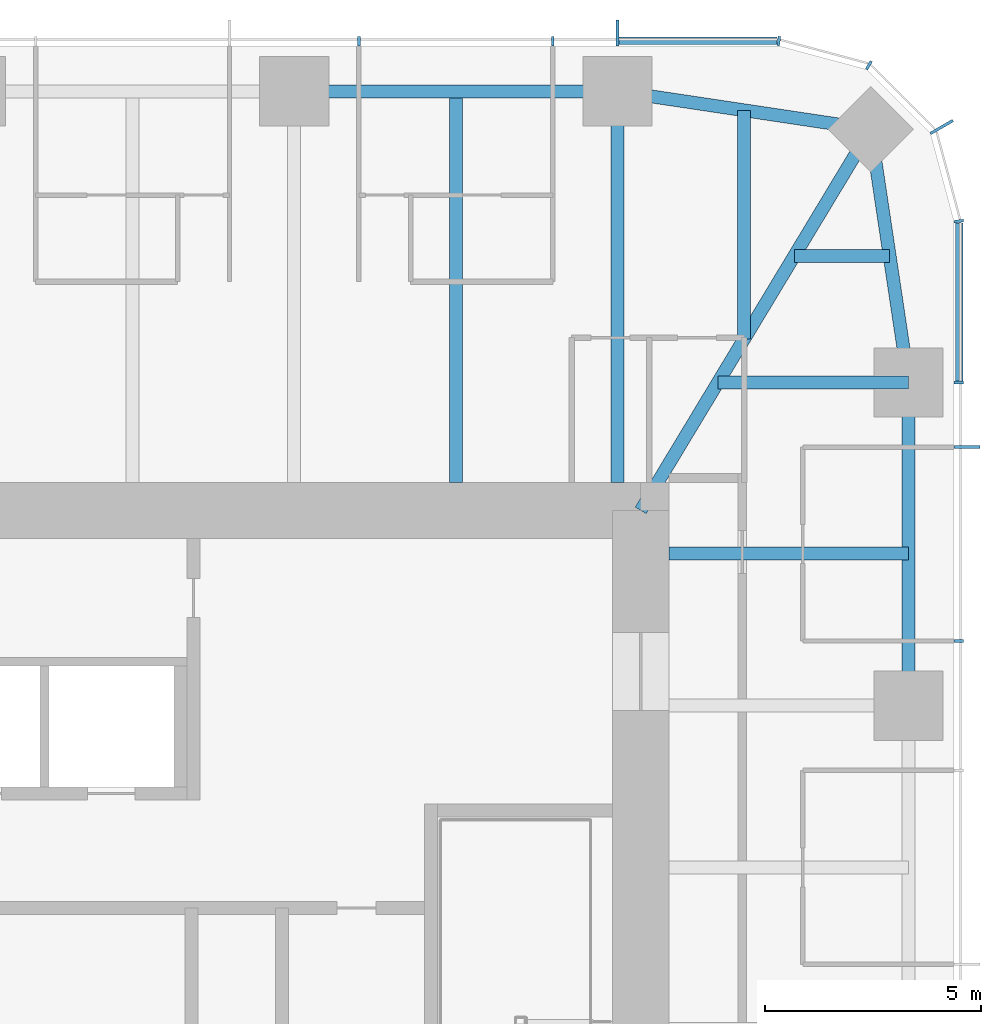
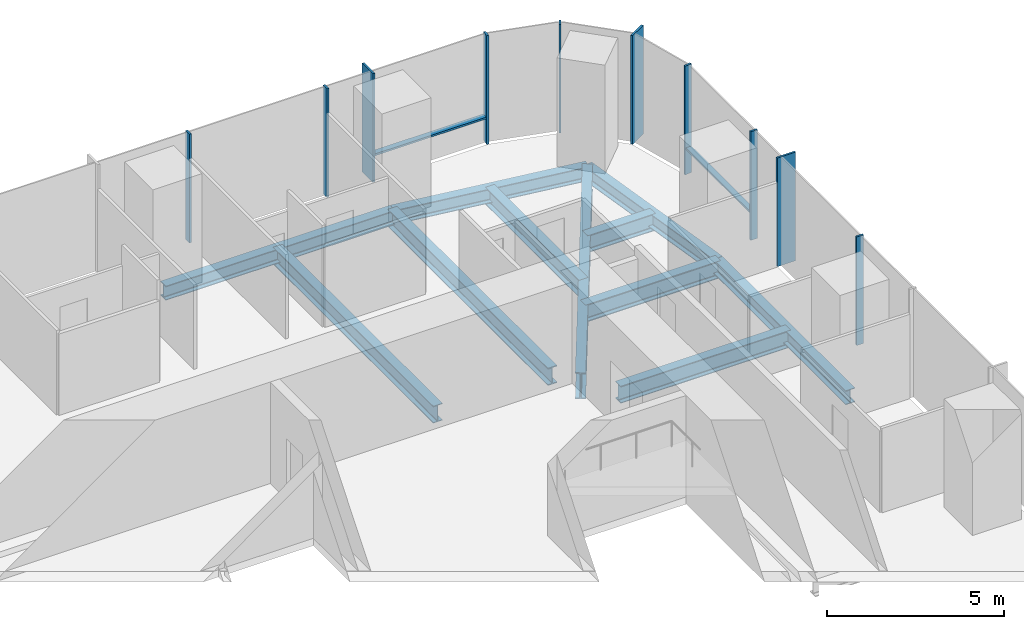
# One storey, part 6 of 12: 12 members, 11 beams, 3 elements without a shape of their own.
"""IFC4 building model written with IfcOpenShell, lengths in metres."""

from ifc_helpers import new_model, si_unit, direction, frame, origin, origin_2d, place, context, subcontext, project, spatial, rectangle, i_section, extrude, material, material_profile, profile_set, type_object, element, aggregate, save


model = new_model("IFC4")

# Units and contexts
model_context = context("Model", 3, precision=1e-05, world=origin(), true_north=direction((0.0, 1.0)))
body_context = subcontext(model_context, "Body", "Model", "MODEL_VIEW")
ifc_project = project(units=[si_unit("LENGTHUNIT", "METRE"), si_unit("AREAUNIT", "SQUARE_METRE"), si_unit("VOLUMEUNIT", "CUBIC_METRE"), si_unit("PLANEANGLEUNIT", "RADIAN"), si_unit("MASSUNIT", "GRAM", prefix="KILO")], contexts=[model_context])

# Site, building, storey
site_placement = place(None, origin())
site = spatial("IfcSite", under=ifc_project, at=site_placement, CompositionType="ELEMENT")
building_placement = place(site_placement, origin())
building = spatial("IfcBuilding", under=site, at=building_placement, Name="Khuree Lantern Residences", CompositionType="ELEMENT")
storey_placement = place(building_placement, frame((0.0, 0.0, 345.75)))
storey = spatial("IfcBuildingStorey", under=building, at=storey_placement, Name="L87", CompositionType="ELEMENT", Elevation=345.75)

# Beams
ifc_material_1 = material(Name="Steel S355", Category="steel")
ifc_material_profile_1 = material_profile(ifc_material_1, i_section(OverallWidth=0.300048828125, OverallDepth=0.590087890625, WebThickness=0.012939453125, FlangeThickness=0.02490234375, FilletRadius=0.027099609375, at=origin_2d()), Name="HE 600 A")
ifc_profile_set_1 = profile_set([ifc_material_profile_1], Name="Steel S355")
beam_type_1 = type_object("IfcBeamType", Name="B-45 SECONDARY BEAM HE 600 A", PredefinedType="BEAM", material=ifc_profile_set_1)
beam_1_placement = place(storey_placement, frame((11.219970703125, 21.699951171875, -0.544921875), z_axis=(0.0, -1.0, 0.0), x_axis=(1.0, 0.0, 0.0)))
element("IfcBeam", 1, at=beam_1_placement, inside=storey, type_object=beam_type_1, Name="Secondary beam N4", PredefinedType="BEAM", context=body_context, shape_type="SweptSolid", body=[
    extrude(i_section(OverallWidth=0.300048828125, OverallDepth=0.590087890625, WebThickness=0.012939453125, FlangeThickness=0.02490234375, FilletRadius=0.027099609375, at=origin_2d()), origin(), (0.0, 0.0, 1.0), 9.050048828125),
])
beam_2_placement = place(storey_placement, frame((17.890625, 21.2607421875, -0.544921875), z_axis=(0.0, -1.0, 0.0), x_axis=(1.0, 0.0, 0.0)))
element("IfcBeam", 2, at=beam_2_placement, inside=storey, type_object=beam_type_1, Name="Secondary beam N5", PredefinedType="BEAM", context=body_context, shape_type="SweptSolid", body=[
    extrude(i_section(OverallWidth=0.300048828125, OverallDepth=0.590087890625, WebThickness=0.012939453125, FlangeThickness=0.02490234375, FilletRadius=0.027099609375, at=origin_2d()), origin(), (0.0, 0.0, 1.0), 5.297607421875),
])
beam_3_placement = place(storey_placement, frame((21.2607421875, 17.890625, -0.544921875), z_axis=(-1.0, 0.0, 0.0), x_axis=(0.0, -1.0, 0.0)))
element("IfcBeam", 3, at=beam_3_placement, inside=storey, type_object=beam_type_1, Name="Secondary beam E1", PredefinedType="BEAM", context=body_context, shape_type="SweptSolid", body=[
    extrude(i_section(OverallWidth=0.300048828125, OverallDepth=0.590087890625, WebThickness=0.012939453125, FlangeThickness=0.02490234375, FilletRadius=0.027099609375, at=origin_2d()), origin(), (0.0, 0.0, 1.0), 2.207275390625),
])
beam_4_placement = place(storey_placement, frame((21.699951171875, 11.0, -0.544921875), z_axis=(-1.0, 0.0, 0.0), x_axis=(0.0, -1.0, 0.0)))
element("IfcBeam", 4, at=beam_4_placement, inside=storey, type_object=beam_type_1, Name="Secondary beam E2", PredefinedType="BEAM", context=body_context, shape_type="SweptSolid", body=[
    extrude(i_section(OverallWidth=0.300048828125, OverallDepth=0.590087890625, WebThickness=0.012939453125, FlangeThickness=0.02490234375, FilletRadius=0.027099609375, at=origin_2d()), origin(), (0.0, 0.0, 1.0), 5.550048828125),
])
ifc_material_profile_2 = material_profile(ifc_material_1, i_section(OverallWidth=0.300048828125, OverallDepth=0.489990234375, WebThickness=0.011962890625, FlangeThickness=0.02294921875, FilletRadius=0.027099609375, at=origin_2d()), Name="HE 500 A")
ifc_profile_set_2 = profile_set([ifc_material_profile_2], Name="Steel S355")
beam_type_2 = type_object("IfcBeamType", Name="E-45 SPANDREL BEAM HE 500 A", PredefinedType="SPANDREL", material=ifc_profile_set_2)
beam_5_placement = place(storey_placement, frame((7.47998046875, 21.699951171875, -0.4951171875), z_axis=(1.0, 0.0, 0.0), x_axis=(0.0, 1.0, 0.0)))
element("IfcBeam", 5, at=beam_5_placement, inside=storey, type_object=beam_type_2, Name="Spandrel beam N4", PredefinedType="SPANDREL", context=body_context, shape_type="SweptSolid", body=[
    extrude(i_section(OverallWidth=0.300048828125, OverallDepth=0.489990234375, WebThickness=0.011962890625, FlangeThickness=0.02294921875, FilletRadius=0.027099609375, at=origin_2d()), origin(), (0.0, 0.0, 1.0), 7.47998046875),
])
for number, where, z_axis, x_axis, name in (
    (6, (14.9599609375, 21.699951171875, -0.4951171875), (0.988949643299, -0.148251822985, 0.0), (0.148251822985, 0.988949643299, 0.0), "Spandrel beam N5"),
    (7, (20.8212890625, 20.8212890625, -0.4951171875), (0.148251822985, -0.988949643299, 0.0), (0.988949643299, 0.148251822985, 0.0), "Spandrel beam E1"),
):
    element("IfcBeam", number, at=place(storey_placement, frame(where, z_axis=z_axis, x_axis=x_axis)), inside=storey, type_object=beam_type_2, Name=name, PredefinedType="SPANDREL", context=body_context, shape_type="SweptSolid", body=[
        extrude(i_section(OverallWidth=0.300048828125, OverallDepth=0.489990234375, WebThickness=0.011962890625, FlangeThickness=0.02294921875, FilletRadius=0.027099609375, at=origin_2d()), origin(), (0.0, 0.0, 1.0), 5.9267578125),
    ])
beam_6_placement = place(storey_placement, frame((21.699951171875, 14.9599609375, -0.4951171875), z_axis=(0.0, -1.0, 0.0), x_axis=(1.0, 0.0, 0.0)))
element("IfcBeam", 8, at=beam_6_placement, inside=storey, type_object=beam_type_2, Name="Spandrel beam E2", PredefinedType="SPANDREL", context=body_context, shape_type="SweptSolid", body=[
    extrude(i_section(OverallWidth=0.300048828125, OverallDepth=0.489990234375, WebThickness=0.011962890625, FlangeThickness=0.02294921875, FilletRadius=0.027099609375, at=origin_2d()), origin(), (0.0, 0.0, 1.0), 7.47998046875),
])

# Curtain wall, member
ifc_material_2 = material(Name="Bronze anodised aluminium", Category="aluminium")
curtain_wall_type_1 = type_object("IfcCurtainWallType", Name="CW-T1 TOWER FACE CURTAIN WALL", PredefinedType="USERDEFINED", material=ifc_material_2)
curtain_wall_1_placement = place(storey_placement, origin())
curtain_wall_1 = element("IfcCurtainWall", 9, at=curtain_wall_1_placement, inside=storey, type_object=curtain_wall_type_1, Name="L87 EAST FACE CURTAIN WALL", ObjectType="Stick-built curtain wall", PredefinedType="USERDEFINED")
ifc_material_profile_3 = material_profile(ifc_material_2, rectangle(XDim=0.06494140625, YDim=0.60009765625, at=origin_2d()), Name="F1 65X600")
ifc_profile_set_3 = profile_set([ifc_material_profile_3], Name="Bronze anodised aluminium")
member_type_1 = type_object("IfcMemberType", Name="F1 BRONZE FIN MULLION TOWER 65X600", PredefinedType="MULLION", material=ifc_profile_set_3)
member_1_placement = place(storey_placement, frame((23.050048828125, 13.464111328125, 0.0), z_axis=(0.0, 0.0, 1.0), x_axis=(0.0, 1.0, 0.0)))
member_1 = element("IfcMember", 10, at=member_1_placement, type_object=member_type_1, Name="L87 EAST FACE FIN MULLION 13", PredefinedType="MULLION", context=body_context, shape_type="SweptSolid", body=[
    extrude(rectangle(XDim=0.06494140625, YDim=0.60009765625, at=origin_2d()), origin(), (0.0, 0.0, 1.0), 3.75),
])

curtain_wall_type_2 = type_object("IfcCurtainWallType", Name="CW-T2 TOWER CORNER CURTAIN WALL", PredefinedType="USERDEFINED", material=ifc_material_2)
curtain_wall_2_placement = place(storey_placement, origin())
curtain_wall_2 = element("IfcCurtainWall", 11, at=curtain_wall_2_placement, inside=storey, type_object=curtain_wall_type_2, Name="L87 NORTH-EAST CORNER CURTAIN WALL", ObjectType="Faceted corner curtain wall", PredefinedType="USERDEFINED")
member_2_placement = place(storey_placement, frame((22.46728515625, 20.875, 0.0), z_axis=(0.0, 0.0, 1.0), x_axis=(-0.49999994149, 0.866025437565, 0.0)))
member_2 = element("IfcMember", 12, at=member_2_placement, type_object=member_type_1, Name="L87 NORTH-EAST CORNER FIN MULLION 16", PredefinedType="MULLION", context=body_context, shape_type="SweptSolid", body=[
    extrude(rectangle(XDim=0.06494140625, YDim=0.60009765625, at=origin_2d()), origin(), (0.0, 0.0, 1.0), 3.75),
])

curtain_wall_3_placement = place(storey_placement, origin())
curtain_wall_3 = element("IfcCurtainWall", 13, at=curtain_wall_3_placement, inside=storey, type_object=curtain_wall_type_1, Name="L87 NORTH FACE CURTAIN WALL", ObjectType="Stick-built curtain wall", PredefinedType="USERDEFINED")
member_3_placement = place(storey_placement, frame((14.9599609375, 23.050048828125, 0.0), z_axis=(0.0, 0.0, 1.0), x_axis=(-1.0, 0.0, 0.0)))
member_3 = element("IfcMember", 14, at=member_3_placement, type_object=member_type_1, Name="L87 NORTH FACE FIN MULLION 19", PredefinedType="MULLION", context=body_context, shape_type="SweptSolid", body=[
    extrude(rectangle(XDim=0.06494140625, YDim=0.60009765625, at=origin_2d()), origin(), (0.0, 0.0, 1.0), 3.75),
])

# Beams
ifc_material_profile_4 = material_profile(ifc_material_1, i_section(OverallWidth=0.300048828125, OverallDepth=0.60009765625, WebThickness=0.015380859375, FlangeThickness=0.030029296875, FilletRadius=0.027099609375, at=origin_2d()), Name="HE 600 B")
ifc_profile_set_4 = profile_set([ifc_material_profile_4], Name="Steel S355")
beam_type_3 = type_object("IfcBeamType", Name="G-45 GIRDER HE 600 B", PredefinedType="BEAM", material=ifc_profile_set_4)
beam_7_placement = place(storey_placement, frame((14.9599609375, 21.699951171875, -0.550048828125), z_axis=(0.0, -1.0, 0.0), x_axis=(1.0, 0.0, 0.0)))
element("IfcBeam", 15, at=beam_7_placement, inside=storey, type_object=beam_type_3, Name="Girder N5", PredefinedType="BEAM", context=body_context, shape_type="SweptSolid", body=[
    extrude(i_section(OverallWidth=0.300048828125, OverallDepth=0.60009765625, WebThickness=0.015380859375, FlangeThickness=0.030029296875, FilletRadius=0.027099609375, at=origin_2d()), origin(), (0.0, 0.0, 1.0), 9.050048828125),
])
beam_8_placement = place(storey_placement, frame((21.699951171875, 14.9599609375, -0.550048828125), z_axis=(-1.0, 0.0, 0.0), x_axis=(0.0, -1.0, 0.0)))
element("IfcBeam", 16, at=beam_8_placement, inside=storey, type_object=beam_type_3, Name="Girder E1", PredefinedType="BEAM", context=body_context, shape_type="SweptSolid", body=[
    extrude(i_section(OverallWidth=0.300048828125, OverallDepth=0.60009765625, WebThickness=0.015380859375, FlangeThickness=0.030029296875, FilletRadius=0.027099609375, at=origin_2d()), origin(), (0.0, 0.0, 1.0), 4.414306640625),
])
ifc_material_profile_5 = material_profile(ifc_material_1, i_section(OverallWidth=0.300048828125, OverallDepth=0.89990234375, WebThickness=0.0185546875, FlangeThickness=0.034912109375, FilletRadius=0.030029296875, at=origin_2d()), Name="HE 900 B")
ifc_profile_set_5 = profile_set([ifc_material_profile_5], Name="Steel S355")
beam_type_4 = type_object("IfcBeamType", Name="GD-45 CORNER GIRDER HE 900 B", PredefinedType="BEAM", material=ifc_profile_set_5)
beam_9_placement = place(storey_placement, frame((20.8212890625, 20.8212890625, -0.699951171875), z_axis=(-0.516529577604, -0.856269347495, 0.0), x_axis=(0.856269347495, -0.516529577604, 0.0)))
element("IfcBeam", 17, at=beam_9_placement, inside=storey, type_object=beam_type_4, Name="Corner girder NE", PredefinedType="BEAM", context=body_context, shape_type="SweptSolid", body=[
    extrude(i_section(OverallWidth=0.300048828125, OverallDepth=0.89990234375, WebThickness=0.0185546875, FlangeThickness=0.034912109375, FilletRadius=0.030029296875, at=origin_2d()), origin(), (0.0, 0.0, 1.0), 10.302001953125),
])

# Member
ifc_material_profile_6 = material_profile(ifc_material_2, rectangle(XDim=0.06494140625, YDim=0.219970703125, at=origin_2d()), Name="M1 65X220")
ifc_profile_set_6 = profile_set([ifc_material_profile_6], Name="Bronze anodised aluminium")
member_type_2 = type_object("IfcMemberType", Name="M1 BRONZE MULLION TOWER 65X220", PredefinedType="MULLION", material=ifc_profile_set_6)
member_4_placement = place(storey_placement, frame((22.860107421875, 8.97607421875, 0.0), z_axis=(0.0, 0.0, 1.0), x_axis=(0.0, 1.0, 0.0)))
member_4 = element("IfcMember", 18, at=member_4_placement, type_object=member_type_2, Name="L87 EAST FACE MULLION 12", PredefinedType="MULLION", context=body_context, shape_type="SweptSolid", body=[
    extrude(rectangle(XDim=0.06494140625, YDim=0.219970703125, at=origin_2d()), origin(), (0.0, 0.0, 1.0), 3.75),
])

member_5_placement = place(storey_placement, frame((22.860107421875, 14.9599609375, 0.0), z_axis=(0.0, 0.0, 1.0), x_axis=(0.0, 1.0, 0.0)))
member_5 = element("IfcMember", 19, at=member_5_placement, type_object=member_type_2, Name="L87 EAST FACE MULLION 14", PredefinedType="MULLION", context=body_context, shape_type="SweptSolid", body=[
    extrude(rectangle(XDim=0.06494140625, YDim=0.219970703125, at=origin_2d()), origin(), (0.0, 0.0, 1.0), 3.75),
])

member_6_placement = place(storey_placement, frame((22.86181640625, 18.695068359375, 0.0), z_axis=(0.0, 0.0, 1.0), x_axis=(-0.130526125236, 0.991444870192, 0.0)))
member_6 = element("IfcMember", 20, at=member_6_placement, type_object=member_type_2, Name="L87 NORTH-EAST CORNER MULLION 15", PredefinedType="MULLION", context=body_context, shape_type="SweptSolid", body=[
    extrude(rectangle(XDim=0.06494140625, YDim=0.219970703125, at=origin_2d()), origin(), (0.0, 0.0, 1.0), 3.75),
])

member_7_placement = place(storey_placement, frame((20.780029296875, 22.302734375, 0.0), z_axis=(0.0, 0.0, 1.0), x_axis=(-0.866025437565, 0.49999994149, 0.0)))
member_7 = element("IfcMember", 21, at=member_7_placement, type_object=member_type_2, Name="L87 NORTH-EAST CORNER MULLION 17", PredefinedType="MULLION", context=body_context, shape_type="SweptSolid", body=[
    extrude(rectangle(XDim=0.06494140625, YDim=0.219970703125, at=origin_2d()), origin(), (0.0, 0.0, 1.0), 3.75),
])

aggregate(curtain_wall_2, [member_6, member_2, member_7])

member_8_placement = place(storey_placement, frame((18.695068359375, 22.86181640625, 0.0), z_axis=(0.0, 0.0, 1.0), x_axis=(-0.991444870192, 0.130526125236, 0.0)))
member_8 = element("IfcMember", 22, at=member_8_placement, type_object=member_type_2, Name="L87 NORTH FACE MULLION 18", PredefinedType="MULLION", context=body_context, shape_type="SweptSolid", body=[
    extrude(rectangle(XDim=0.06494140625, YDim=0.219970703125, at=origin_2d()), origin(), (0.0, 0.0, 1.0), 3.75),
])

member_9_placement = place(storey_placement, frame((13.464111328125, 22.860107421875, 0.0), z_axis=(0.0, 0.0, 1.0), x_axis=(-1.0, 0.0, 0.0)))
member_9 = element("IfcMember", 23, at=member_9_placement, type_object=member_type_2, Name="L87 NORTH FACE MULLION 20", PredefinedType="MULLION", context=body_context, shape_type="SweptSolid", body=[
    extrude(rectangle(XDim=0.06494140625, YDim=0.219970703125, at=origin_2d()), origin(), (0.0, 0.0, 1.0), 3.75),
])

member_10_placement = place(storey_placement, frame((8.97607421875, 22.860107421875, 0.0), z_axis=(0.0, 0.0, 1.0), x_axis=(-1.0, 0.0, 0.0)))
member_10 = element("IfcMember", 24, at=member_10_placement, type_object=member_type_2, Name="L87 NORTH FACE MULLION 21", PredefinedType="MULLION", context=body_context, shape_type="SweptSolid", body=[
    extrude(rectangle(XDim=0.06494140625, YDim=0.219970703125, at=origin_2d()), origin(), (0.0, 0.0, 1.0), 3.75),
])

ifc_material_profile_7 = material_profile(ifc_material_2, rectangle(XDim=0.179931640625, YDim=0.06494140625, at=origin_2d()), Name="T1 180X65")
ifc_profile_set_7 = profile_set([ifc_material_profile_7], Name="Bronze anodised aluminium")
member_type_3 = type_object("IfcMemberType", Name="TRANSOM T1 TOWER 180X65", PredefinedType="USERDEFINED", material=ifc_profile_set_7)
member_11_placement = place(storey_placement, frame((22.8701171875, 14.992431640625, 0.89990234375), z_axis=(0.0, 1.0, 0.0), x_axis=(-1.0, 0.0, 0.0)))
member_11 = element("IfcMember", 25, at=member_11_placement, type_object=member_type_3, Name="L87 EAST FACE TRANSOM 14.1", ObjectType="Transom", PredefinedType="USERDEFINED", context=body_context, shape_type="SweptSolid", body=[
    extrude(rectangle(XDim=0.179931640625, YDim=0.06494140625, at=origin_2d()), origin(), (0.0, 0.0, 1.0), 3.658935546875),
])

aggregate(curtain_wall_1, [member_4, member_1, member_5, member_11])

member_12_placement = place(storey_placement, frame((18.6513671875, 22.8701171875, 0.89990234375), z_axis=(-1.0, 0.0, 0.0), x_axis=(0.0, -1.0, 0.0)))
member_12 = element("IfcMember", 26, at=member_12_placement, type_object=member_type_3, Name="L87 NORTH FACE TRANSOM 18.1", ObjectType="Transom", PredefinedType="USERDEFINED", context=body_context, shape_type="SweptSolid", body=[
    extrude(rectangle(XDim=0.179931640625, YDim=0.06494140625, at=origin_2d()), origin(), (0.0, 0.0, 1.0), 3.658935546875),
])

aggregate(curtain_wall_3, [member_8, member_3, member_9, member_10, member_12])

save(model, "model.ifc")
